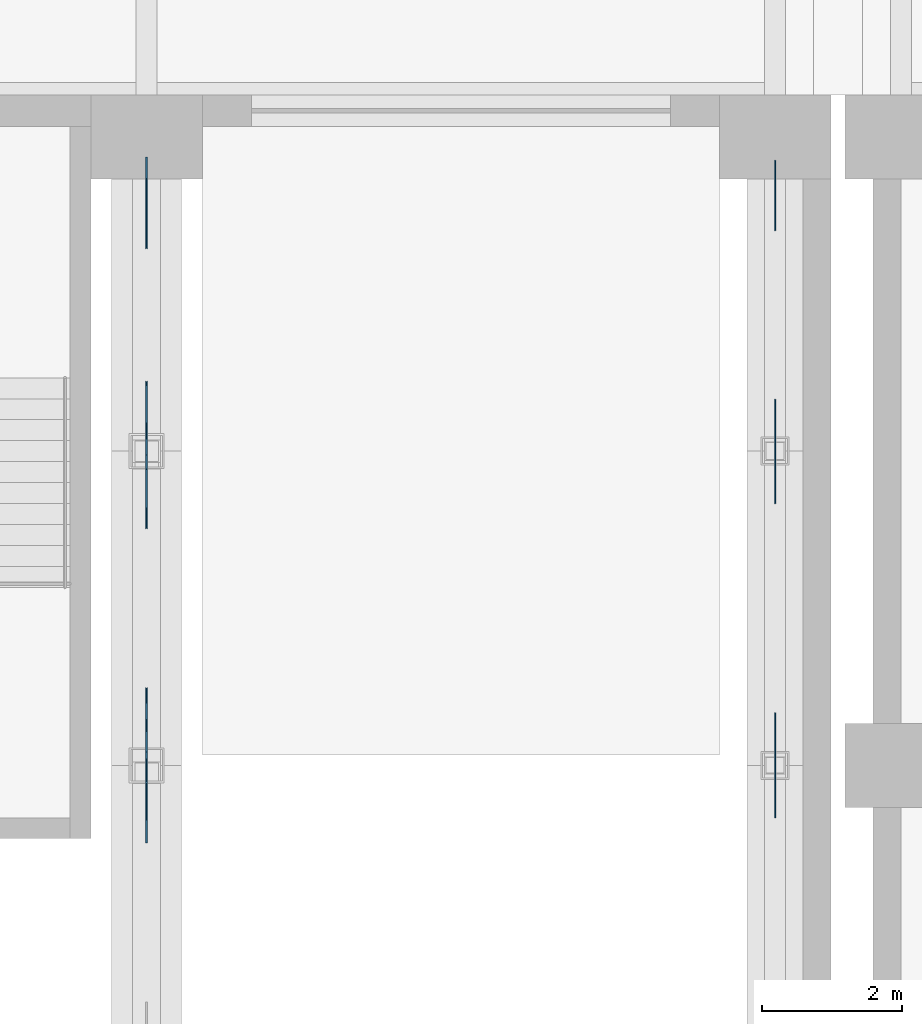
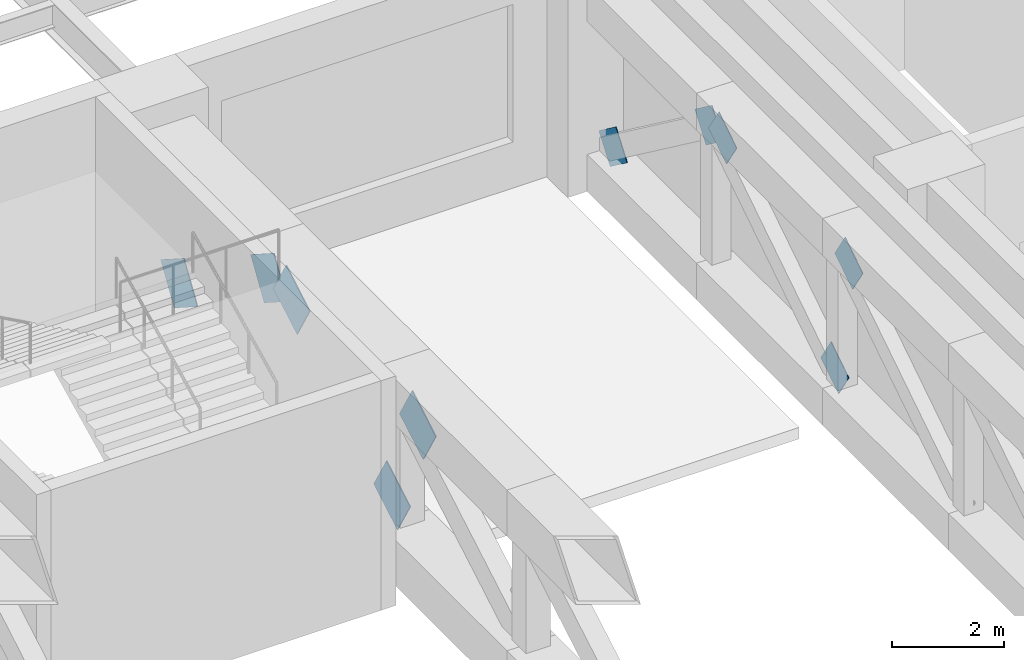
# One storey, part 58 of 76: 10 discrete accessories.
"""IFC4 building model written with IfcOpenShell, lengths in metres."""

from ifc_helpers import new_model, si_unit, direction, frame, origin, place, context, subcontext, project, spatial, polyline, outline, extrude, material, layer, layer_set, type_object, element, save


model = new_model("IFC4")

# Units and contexts
model_context = context("Model", 3, precision=1e-05, world=origin(), true_north=direction((0.0, 1.0)))
body_context = subcontext(model_context, "Body", "Model", "MODEL_VIEW")
ifc_project = project(units=[si_unit("LENGTHUNIT", "METRE"), si_unit("AREAUNIT", "SQUARE_METRE"), si_unit("VOLUMEUNIT", "CUBIC_METRE"), si_unit("PLANEANGLEUNIT", "RADIAN"), si_unit("MASSUNIT", "GRAM", prefix="KILO")], contexts=[model_context])

# Site, building, storey
site_placement = place(None, origin())
site = spatial("IfcSite", under=ifc_project, at=site_placement, CompositionType="ELEMENT")
building_placement = place(site_placement, origin())
building = spatial("IfcBuilding", under=site, at=building_placement, Name="Aravalli Gate Trade Fair Centre", CompositionType="ELEMENT")
storey_placement = place(building_placement, frame((0.0, 0.0, 10.0)))
storey = spatial("IfcBuildingStorey", under=building, at=storey_placement, Name="L02", CompositionType="ELEMENT", Elevation=10.0)

# Discrete accessories
ifc_material = material(Name="Steel E350", Category="steel")
ifc_layer_1 = layer(ifc_material, 0.01611328125)
ifc_layer_set_1 = layer_set([ifc_layer_1], Name="Steel E350")
discrete_accessory_type_1 = type_object("IfcDiscreteAccessoryType", Name="Gusset plate 675 x 675 x 16", PredefinedType="USERDEFINED", material=ifc_layer_set_1)
for number, where, z_axis, x_axis, name in (
    (1, (104.991943359375, 99.249755859375, 3.617919921875), (-1.0, 0.0, 0.0), (0.0, 0.840505607678, 0.541802845565), "Gusset plate FT2 line 12 diagonal 12 end A"),
    (2, (104.991943359375, 103.749755859375, 3.617919921875), (-1.0, 0.0, 0.0), (0.0, 0.840505607678, 0.541802845565), "Gusset plate FT2 line 12 diagonal 13 end A"),
):
    element("IfcDiscreteAccessory", number, at=place(storey_placement, frame(where, z_axis=z_axis, x_axis=x_axis)), inside=storey, type_object=discrete_accessory_type_1, Name=name, ObjectType="GUSSET PLATE", PredefinedType="USERDEFINED", context=body_context, shape_type="SweptSolid", body=[
        extrude(outline(polyline([(0.0, 0.0), (0.755218786408441, 0.0), (0.7549959059400588, 0.6749057353646954), (0.00011459718133527419, 0.674832809885664), (0.0, 0.0)])), origin(), (0.0, 0.0, -1.0), 0.01611328125),
    ])
discrete_accessory_1_placement = place(storey_placement, frame((105.008056640625, 100.384521484375, 1.44921875), z_axis=(1.0, 0.0, 0.0), x_axis=(0.0, -0.840557944742, -0.541721645803)))
element("IfcDiscreteAccessory", 3, at=discrete_accessory_1_placement, inside=storey, type_object=discrete_accessory_type_1, Name="Gusset plate FT2 line 12 diagonal 13 end B", ObjectType="GUSSET PLATE", PredefinedType="USERDEFINED", context=body_context, shape_type="SweptSolid", body=[
    extrude(outline(polyline([(0.0, 0.0), (0.7548813122812147, -5.551115123125783e-17), (0.755038993328129, 0.6749057537468108), (-0.0001797895562460905, 0.6748327956660154), (0.0, 0.0)])), origin(), (0.0, 0.0, -1.0), 0.01611328125),
])
discrete_accessory_2_placement = place(storey_placement, frame((105.008056640625, 107.656982421875, 0.931884765625), z_axis=(1.0, 0.0, 0.0), x_axis=(0.0, 0.80243851413, -0.596734807968)))
element("IfcDiscreteAccessory", 4, at=discrete_accessory_2_placement, inside=storey, type_object=discrete_accessory_type_1, Name="Gusset plate FT2 line 12 diagonal 14 end A", ObjectType="GUSSET PLATE", PredefinedType="USERDEFINED", context=body_context, shape_type="SweptSolid", body=[
    extrude(outline(polyline([(0.0, 0.0), (0.7548402525043576, 0.0), (0.7548082723853139, 0.675103392578611), (-3.1980119043650834e-05, 0.675103392578611), (0.0, 0.0)])), origin(), (0.0, 0.0, -1.0), 0.01611328125),
])
discrete_accessory_3_placement = place(storey_placement, frame((104.991943359375, 104.84033203125, 3.0263671875), z_axis=(-1.0, 0.0, 0.0), x_axis=(0.0, -0.802553641528, 0.596579963182)))
element("IfcDiscreteAccessory", 5, at=discrete_accessory_3_placement, inside=storey, type_object=discrete_accessory_type_1, Name="Gusset plate FT2 line 12 diagonal 14 end B", ObjectType="GUSSET PLATE", PredefinedType="USERDEFINED", context=body_context, shape_type="SweptSolid", body=[
    extrude(outline(polyline([(0.0, 0.0), (0.7550361744001823, -5.551115123125783e-17), (0.7549378906552952, 0.6751033861818379), (9.765220275143038e-05, 0.6749577367767641), (0.0, 0.0)])), origin(), (0.0, 0.0, -1.0), 0.01611328125),
])
ifc_layer_2 = layer(ifc_material, 0.02001953125)
ifc_layer_set_2 = layer_set([ifc_layer_2], Name="Steel E350")
discrete_accessory_type_2 = type_object("IfcDiscreteAccessoryType", Name="Gusset plate 900 x 900 x 20", PredefinedType="USERDEFINED", material=ifc_layer_set_2)
for number, where, z_axis, x_axis, name in (
    (6, (95.989990234375, 98.890625, 3.435546875), (-1.0, 0.0, 0.0), (0.0, 0.86388729855, 0.503685155037), "Gusset plate FT1 line 11 diagonal 12 end A"),
    (7, (95.989990234375, 103.390625, 3.435546875), (-1.0, 0.0, 0.0), (0.0, 0.86388729855, 0.503685155037), "Gusset plate FT1 line 11 diagonal 13 end A"),
):
    element("IfcDiscreteAccessory", number, at=place(storey_placement, frame(where, z_axis=z_axis, x_axis=x_axis)), inside=storey, type_object=discrete_accessory_type_2, Name=name, ObjectType="GUSSET PLATE", PredefinedType="USERDEFINED", context=body_context, shape_type="SweptSolid", body=[
        extrude(outline(polyline([(0.0, 0.0), (0.9800811852673053, 0.0), (0.980081550163473, 0.9001036081016202), (3.6489616778156986e-07, 0.9001036081016202), (0.0, 0.0)])), origin(), (0.0, 0.0, -1.0), 0.02001953125),
    ])
discrete_accessory_4_placement = place(storey_placement, frame((96.010009765625, 100.656005859375, 1.842041015625), z_axis=(1.0, 0.0, 0.0), x_axis=(0.0, -0.86388729855, -0.503685155037)))
element("IfcDiscreteAccessory", 8, at=discrete_accessory_4_placement, inside=storey, type_object=discrete_accessory_type_2, Name="Gusset plate FT1 line 11 diagonal 13 end B", ObjectType="GUSSET PLATE", PredefinedType="USERDEFINED", context=body_context, shape_type="SweptSolid", body=[
    extrude(outline(polyline([(0.0, 0.0), (0.9800811852673053, 0.0), (0.9800808203711375, 0.9001036081016202), (-3.6489616778156986e-07, 0.9001036081016202), (0.0, 0.0)])), origin(), (0.0, 0.0, -1.0), 0.02001953125),
])
discrete_accessory_5_placement = place(storey_placement, frame((96.010009765625, 107.3994140625, 1.10693359375), z_axis=(1.0, 0.0, 0.0), x_axis=(0.0, 0.841841417294, -0.539724955999)))
element("IfcDiscreteAccessory", 9, at=discrete_accessory_5_placement, inside=storey, type_object=discrete_accessory_type_2, Name="Gusset plate FT1 line 11 diagonal 14 end A", ObjectType="GUSSET PLATE", PredefinedType="USERDEFINED", context=body_context, shape_type="SweptSolid", body=[
    extrude(outline(polyline([(0.0, 0.0), (0.9802265552012132, 5.551115123125783e-17), (0.9800108119339646, 0.9000460685456917), (0.00012155321060602908, 0.8999723096440082), (0.0, 0.0)])), origin(), (0.0, 0.0, -1.0), 0.02001953125),
])
discrete_accessory_6_placement = place(storey_placement, frame((95.989990234375, 105.014892578125, 2.635498046875), z_axis=(-1.0, 0.0, 0.0), x_axis=(0.0, -0.841954580103, 0.539548408433)))
element("IfcDiscreteAccessory", 10, at=discrete_accessory_6_placement, inside=storey, type_object=discrete_accessory_type_2, Name="Gusset plate FT1 line 11 diagonal 14 end B", ObjectType="GUSSET PLATE", PredefinedType="USERDEFINED", context=body_context, shape_type="SweptSolid", body=[
    extrude(outline(polyline([(0.0, 0.0), (0.9800948079628956, 0.0), (0.9799162545865907, 0.9001778196834035), (-0.00010472374454933986, 0.8998405386803427), (0.0, 0.0)])), origin(), (0.0, 0.0, -1.0), 0.02001953125),
])

save(model, "model.ifc")
